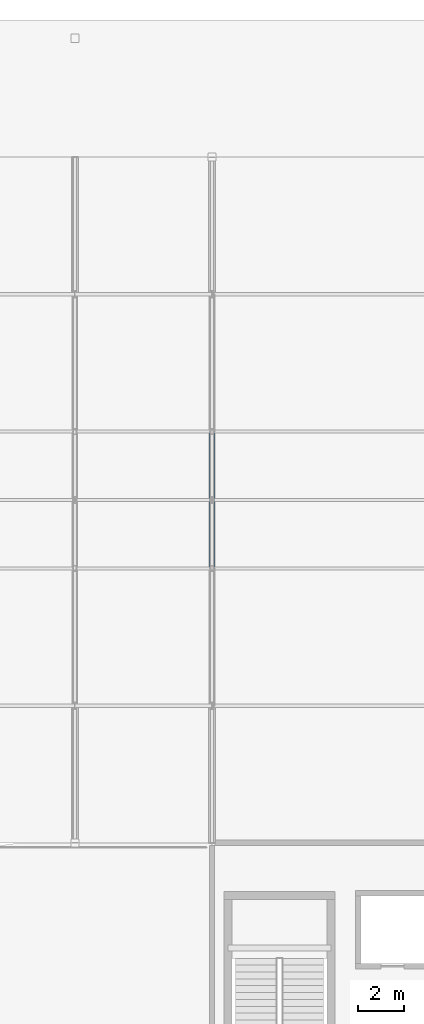
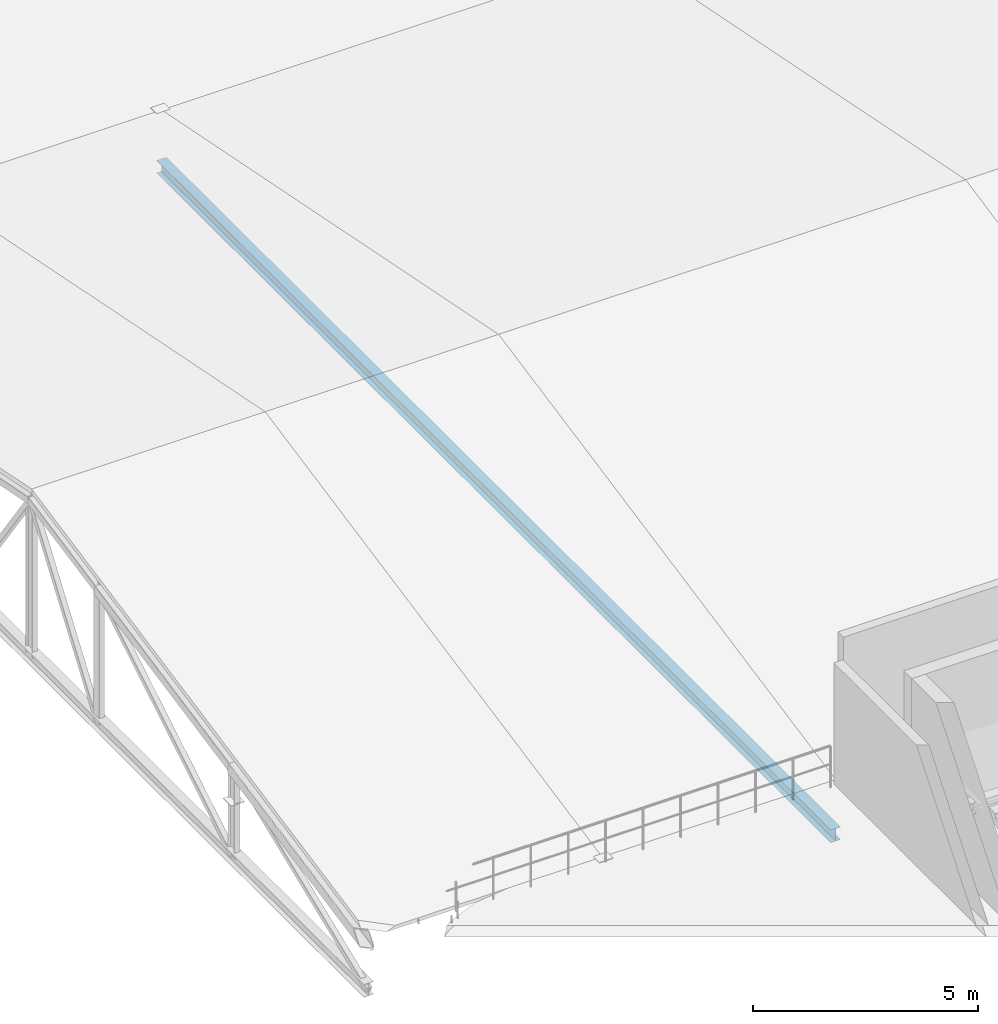
# One storey, part 26 of 83: 1 member.
"""IFC4 building model written with IfcOpenShell, lengths in metres."""

from ifc_helpers import new_model, si_unit, direction, frame, origin, origin_2d, place, context, subcontext, project, spatial, i_section, extrude, material, material_profile, profile_set, type_object, element, save


model = new_model("IFC4")

# Units and contexts
model_context = context("Model", 3, precision=1e-05, world=origin(), true_north=direction((0.0, 1.0)))
body_context = subcontext(model_context, "Body", "Model", "MODEL_VIEW")
ifc_project = project(units=[si_unit("LENGTHUNIT", "METRE"), si_unit("AREAUNIT", "SQUARE_METRE"), si_unit("VOLUMEUNIT", "CUBIC_METRE"), si_unit("PLANEANGLEUNIT", "RADIAN"), si_unit("MASSUNIT", "GRAM", prefix="KILO")], contexts=[model_context])

# Site, building, storey
site_placement = place(None, origin())
site = spatial("IfcSite", under=ifc_project, at=site_placement, CompositionType="ELEMENT")
building_placement = place(site_placement, origin())
building = spatial("IfcBuilding", under=site, at=building_placement, Name="Varnakota Square Police Headquarters", CompositionType="ELEMENT")
storey_placement = place(building_placement, frame((0.0, 0.0, 18.0)))
storey = spatial("IfcBuildingStorey", under=building, at=storey_placement, Name="L04", CompositionType="ELEMENT", Elevation=18.0)

# Member
ifc_material = material(Name="Steel IS 2062 Grade 350", Category="steel")
ifc_material_profile = material_profile(ifc_material, i_section(OverallWidth=0.25, OverallDepth=0.35009765625, WebThickness=0.010009765625, FlangeThickness=0.01171875, FilletRadius=0.011962890625, at=origin_2d()), Name="ISHB 350")
ifc_profile_set = profile_set([ifc_material_profile], Name="Steel IS 2062 Grade 350")
member_type = type_object("IfcMemberType", Name="MEM-TRCH-ISHB350", PredefinedType="CHORD", material=ifc_profile_set)
member_placement = place(storey_placement, frame((18.0, 75.0, -1.5), z_axis=(0.0, 1.0, 0.0), x_axis=(-1.0, 0.0, 0.0)))
element("IfcMember", 1, at=member_placement, inside=storey, type_object=member_type, Name="ROOF TRUSS bottom chord T3", PredefinedType="CHORD", context=body_context, shape_type="SweptSolid", body=[
    extrude(i_section(OverallWidth=0.25, OverallDepth=0.35009765625, WebThickness=0.010009765625, FlangeThickness=0.01171875, FilletRadius=0.011962890625, at=origin_2d()), origin(), (0.0, 0.0, 1.0), 30.0),
])

save(model, "model.ifc")
